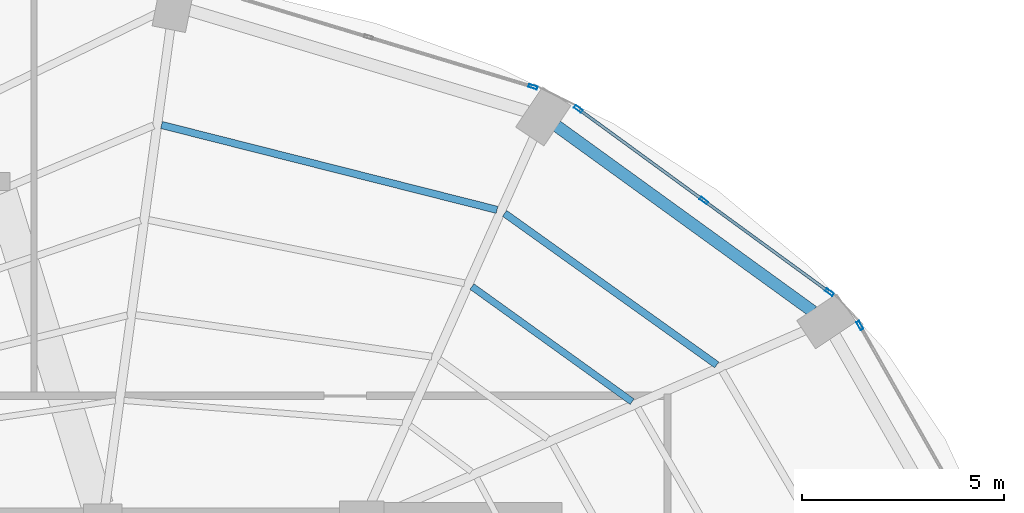
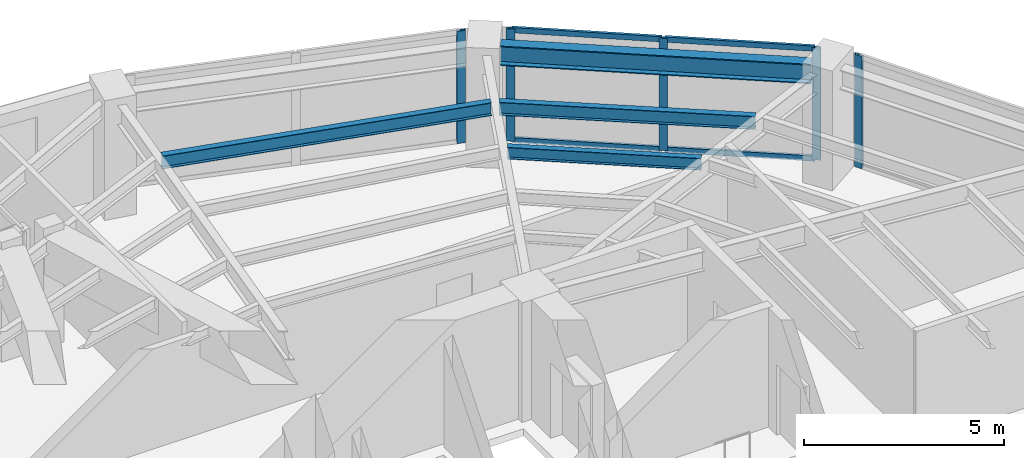
# One storey, part 17 of 24: 9 members, 4 beams, 3 elements without a shape of their own.
"""IFC4 building model written with IfcOpenShell, lengths in metres."""

from ifc_helpers import new_model, si_unit, direction, frame, origin, origin_2d, place, context, subcontext, project, spatial, hollow_rectangle, i_section, extrude, material, layer, layer_set, material_profile, profile_set, type_object, element, aggregate, save


model = new_model("IFC4")

# Units and contexts
model_context = context("Model", 3, precision=1e-05, world=origin(), true_north=direction((0.0, 1.0)))
body_context = subcontext(model_context, "Body", "Model", "MODEL_VIEW")
ifc_project = project(units=[si_unit("LENGTHUNIT", "METRE"), si_unit("AREAUNIT", "SQUARE_METRE"), si_unit("VOLUMEUNIT", "CUBIC_METRE"), si_unit("PLANEANGLEUNIT", "RADIAN"), si_unit("MASSUNIT", "GRAM", prefix="KILO")], contexts=[model_context])

# Site, building, storey
site_placement = place(None, origin())
site = spatial("IfcSite", under=ifc_project, at=site_placement, CompositionType="ELEMENT")
building_placement = place(site_placement, origin())
building = spatial("IfcBuilding", under=site, at=building_placement, Name="Lazwardi Medical Tower", CompositionType="ELEMENT")
storey_placement = place(building_placement, frame((0.0, 0.0, 99.98388671875)))
storey = spatial("IfcBuildingStorey", under=building, at=storey_placement, Name="L25", CompositionType="ELEMENT", Elevation=99.98388671875)

# Beams
ifc_material_1 = material(Name="Steel S355", Category="steel")
ifc_material_profile_1 = material_profile(ifc_material_1, i_section(OverallWidth=0.300048828125, OverallDepth=0.60009765625, WebThickness=0.015380859375, FlangeThickness=0.030029296875, at=origin_2d()), Name="HEB 600")
ifc_profile_set_1 = profile_set([ifc_material_profile_1], Name="Steel S355")
beam_type_1 = type_object("IfcBeamType", Name="BM-RB-Z2", PredefinedType="BEAM", material=ifc_profile_set_1)
beam_1_placement = place(storey_placement, frame((56.74560546875, 40.835205078125, 3.128173828125), z_axis=(-0.81005674773, 0.586351486275, 0.0), x_axis=(-0.586351486275, -0.81005674773, 0.0)))
element("IfcBeam", 1, at=beam_1_placement, inside=storey, type_object=beam_type_1, Name="Ring beam RB-03 B06 L25", PredefinedType="BEAM", context=body_context, shape_type="SweptSolid", body=[
    extrude(i_section(OverallWidth=0.300048828125, OverallDepth=0.60009765625, WebThickness=0.015380859375, FlangeThickness=0.030029296875, at=origin_2d()), origin(), (0.0, 0.0, 1.0), 7.81396484375),
])
ifc_material_profile_2 = material_profile(ifc_material_1, i_section(OverallWidth=0.179931640625, OverallDepth=0.39990234375, WebThickness=0.008544921875, FlangeThickness=0.013427734375, at=origin_2d()), Name="IPE 400")
ifc_profile_set_2 = profile_set([ifc_material_profile_2], Name="Steel S355")
beam_type_2 = type_object("IfcBeamType", Name="BM-SJ-01", PredefinedType="JOIST", material=ifc_profile_set_2)
beam_2_placement = place(storey_placement, frame((54.369384765625, 39.514404296875, 3.22802734375), z_axis=(-0.813748834317, 0.581216684763, 0.0), x_axis=(-0.581216684763, -0.813748834317, 0.0)))
element("IfcBeam", 2, at=beam_2_placement, inside=storey, type_object=beam_type_2, Name="Secondary joist SJ-01 R1 B06 L25", PredefinedType="JOIST", context=body_context, shape_type="SweptSolid", body=[
    extrude(i_section(OverallWidth=0.179931640625, OverallDepth=0.39990234375, WebThickness=0.008544921875, FlangeThickness=0.013427734375, at=origin_2d()), origin(), (0.0, 0.0, 1.0), 6.4423828125),
])
beam_3_placement = place(storey_placement, frame((48.939697265625, 43.345703125, 3.22802734375), z_axis=(-0.96945186753, 0.245281626997, 0.0), x_axis=(-0.245281626997, -0.96945186753, 0.0)))
element("IfcBeam", 3, at=beam_3_placement, inside=storey, type_object=beam_type_2, Name="Secondary joist SJ-01 R1 B07 L25", PredefinedType="JOIST", context=body_context, shape_type="SweptSolid", body=[
    extrude(i_section(OverallWidth=0.179931640625, OverallDepth=0.39990234375, WebThickness=0.008544921875, FlangeThickness=0.013427734375, at=origin_2d()), origin(), (0.0, 0.0, 1.0), 8.552978515625),
])
ifc_material_profile_3 = material_profile(ifc_material_1, i_section(OverallWidth=0.169921875, OverallDepth=0.360107421875, WebThickness=0.008056640625, FlangeThickness=0.0126953125, at=origin_2d()), Name="IPE 360")
ifc_profile_set_3 = profile_set([ifc_material_profile_3], Name="Steel S355")
beam_type_3 = type_object("IfcBeamType", Name="BM-SJ-02", PredefinedType="JOIST", material=ifc_profile_set_3)
beam_4_placement = place(storey_placement, frame((52.278564453125, 38.604736328125, 3.248046875), z_axis=(-0.811888517177, 0.583812500446, 0.0), x_axis=(-0.583812500446, -0.811888517177, 0.0)))
element("IfcBeam", 4, at=beam_4_placement, inside=storey, type_object=beam_type_3, Name="Secondary joist SJ-02 R2 B06 L25", PredefinedType="JOIST", context=body_context, shape_type="SweptSolid", body=[
    extrude(i_section(OverallWidth=0.169921875, OverallDepth=0.360107421875, WebThickness=0.008056640625, FlangeThickness=0.0126953125, at=origin_2d()), origin(), (0.0, 0.0, 1.0), 4.874755859375),
])

# Curtain wall, member
ifc_material_2 = material(Name="Anodised bronze aluminium and solar control glazing", Category="aluminium")
ifc_layer = layer(ifc_material_2, 0.195068359375)
ifc_layer_set = layer_set([ifc_layer], Name="Anodised bronze aluminium and solar control glazing")
curtain_wall_type = type_object("IfcCurtainWallType", Name="CW-SYS-03", PredefinedType="NOTDEFINED", material=ifc_layer_set)
curtain_wall_1_placement = place(storey_placement, origin())
curtain_wall_1 = element("IfcCurtainWall", 5, at=curtain_wall_1_placement, inside=storey, type_object=curtain_wall_type, Name="L25 Unitised bronze curtain wall CW-03", PredefinedType="NOTDEFINED")
ifc_material_3 = material(Name="Anodised bronze aluminium", Category="aluminium")
ifc_material_profile_4 = material_profile(ifc_material_3, hollow_rectangle(XDim=0.074951171875, YDim=0.219970703125, WallThickness=0.00390625, at=origin_2d()), Name="ALU-MULLION 220x75x4")
ifc_profile_set_4 = profile_set([ifc_material_profile_4], Name="Anodised bronze aluminium")
member_type_1 = type_object("IfcMemberType", Name="CW-MUL-01", PredefinedType="MULLION", material=ifc_profile_set_4)
member_1_placement = place(storey_placement, frame((57.9072265625, 40.48583984375, 0.0), z_axis=(0.0, 0.0, 1.0), x_axis=(-0.869687265712, -0.493603140041, 0.0)))
member_1 = element("IfcMember", 6, at=member_1_placement, type_object=member_type_1, Name="CW-03 mullion 2", PredefinedType="MULLION", context=body_context, shape_type="SweptSolid", body=[
    extrude(hollow_rectangle(XDim=0.074951171875, YDim=0.219970703125, WallThickness=0.00390625, at=origin_2d()), origin(), (0.0, 0.0, 1.0), 3.42822265625),
])
aggregate(curtain_wall_1, [member_1])

# Curtain wall, members
curtain_wall_2_placement = place(storey_placement, origin())
curtain_wall_2 = element("IfcCurtainWall", 7, at=curtain_wall_2_placement, inside=storey, type_object=curtain_wall_type, Name="L25 Unitised bronze curtain wall CW-03", PredefinedType="NOTDEFINED")
member_2_placement = place(storey_placement, frame((57.155029296875, 41.308837890625, 0.0), z_axis=(0.0, 0.0, 1.0), x_axis=(-0.589530882802, -0.807745837639, 0.0)))
member_2 = element("IfcMember", 8, at=member_2_placement, type_object=member_type_1, Name="CW-03 mullion 1", PredefinedType="MULLION", context=body_context, shape_type="SweptSolid", body=[
    extrude(hollow_rectangle(XDim=0.074951171875, YDim=0.219970703125, WallThickness=0.00390625, at=origin_2d()), origin(), (0.0, 0.0, 1.0), 3.42822265625),
])
member_3_placement = place(storey_placement, frame((54.051025390625, 43.57421875, 0.0), z_axis=(0.0, 0.0, 1.0), x_axis=(-0.589530882802, -0.807745837639, 0.0)))
member_3 = element("IfcMember", 9, at=member_3_placement, type_object=member_type_1, Name="CW-03 mullion 2", PredefinedType="MULLION", context=body_context, shape_type="SweptSolid", body=[
    extrude(hollow_rectangle(XDim=0.074951171875, YDim=0.219970703125, WallThickness=0.00390625, at=origin_2d()), origin(), (0.0, 0.0, 1.0), 3.42822265625),
])
member_4_placement = place(storey_placement, frame((50.947265625, 45.839599609375, 0.0), z_axis=(0.0, 0.0, 1.0), x_axis=(-0.589530882802, -0.807745837639, 0.0)))
member_4 = element("IfcMember", 10, at=member_4_placement, type_object=member_type_1, Name="CW-03 mullion 3", PredefinedType="MULLION", context=body_context, shape_type="SweptSolid", body=[
    extrude(hollow_rectangle(XDim=0.074951171875, YDim=0.219970703125, WallThickness=0.00390625, at=origin_2d()), origin(), (0.0, 0.0, 1.0), 3.42822265625),
])

# Curtain wall, member
curtain_wall_3_placement = place(storey_placement, origin())
curtain_wall_3 = element("IfcCurtainWall", 11, at=curtain_wall_3_placement, inside=storey, type_object=curtain_wall_type, Name="L25 Unitised bronze curtain wall CW-03", PredefinedType="NOTDEFINED")
member_5_placement = place(storey_placement, frame((49.828369140625, 46.385986328125, 0.0), z_axis=(0.0, 0.0, 1.0), x_axis=(-0.28937381157, -0.957216170558, 0.0)))
member_5 = element("IfcMember", 12, at=member_5_placement, type_object=member_type_1, Name="CW-03 mullion 1", PredefinedType="MULLION", context=body_context, shape_type="SweptSolid", body=[
    extrude(hollow_rectangle(XDim=0.074951171875, YDim=0.219970703125, WallThickness=0.00390625, at=origin_2d()), origin(), (0.0, 0.0, 1.0), 3.42822265625),
])
aggregate(curtain_wall_3, [member_5])

# Member
ifc_material_profile_5 = material_profile(ifc_material_3, hollow_rectangle(XDim=0.074951171875, YDim=0.159912109375, WallThickness=0.00390625, at=origin_2d()), Name="ALU-TRANSOM 160x75x4")
ifc_profile_set_5 = profile_set([ifc_material_profile_5], Name="Anodised bronze aluminium")
member_type_2 = type_object("IfcMemberType", Name="CW-TRN-01", PredefinedType="USERDEFINED", material=ifc_profile_set_5)
member_6_placement = place(storey_placement, frame((57.12451171875, 41.3310546875, 0.03759765625), z_axis=(-0.807731734271, 0.589550206049, 0.0), x_axis=(-0.589550206049, -0.807731734271, 0.0)))
member_6 = element("IfcMember", 13, at=member_6_placement, type_object=member_type_2, Name="CW-03 transom 1.1", ObjectType="TRANSOM", PredefinedType="USERDEFINED", context=body_context, shape_type="SweptSolid", body=[
    extrude(hollow_rectangle(XDim=0.074951171875, YDim=0.159912109375, WallThickness=0.00390625, at=origin_2d()), origin(), (0.0, 0.0, 1.0), 3.767578125),
])

member_7_placement = place(storey_placement, frame((57.12451171875, 41.3310546875, 3.390625), z_axis=(-0.807731734271, 0.589550206049, 0.0), x_axis=(-0.589550206049, -0.807731734271, 0.0)))
member_7 = element("IfcMember", 14, at=member_7_placement, type_object=member_type_2, Name="CW-03 transom 1.2", ObjectType="TRANSOM", PredefinedType="USERDEFINED", context=body_context, shape_type="SweptSolid", body=[
    extrude(hollow_rectangle(XDim=0.074951171875, YDim=0.159912109375, WallThickness=0.00390625, at=origin_2d()), origin(), (0.0, 0.0, 1.0), 3.767578125),
])

member_8_placement = place(storey_placement, frame((54.020751953125, 43.596435546875, 0.03759765625), z_axis=(-0.80776259199, 0.58950792614, 0.0), x_axis=(-0.58950792614, -0.80776259199, 0.0)))
member_8 = element("IfcMember", 15, at=member_8_placement, type_object=member_type_2, Name="CW-03 transom 2.1", ObjectType="TRANSOM", PredefinedType="USERDEFINED", context=body_context, shape_type="SweptSolid", body=[
    extrude(hollow_rectangle(XDim=0.074951171875, YDim=0.159912109375, WallThickness=0.00390625, at=origin_2d()), origin(), (0.0, 0.0, 1.0), 3.767578125),
])

member_9_placement = place(storey_placement, frame((54.020751953125, 43.596435546875, 3.390625), z_axis=(-0.80776259199, 0.58950792614, 0.0), x_axis=(-0.58950792614, -0.80776259199, 0.0)))
member_9 = element("IfcMember", 16, at=member_9_placement, type_object=member_type_2, Name="CW-03 transom 2.2", ObjectType="TRANSOM", PredefinedType="USERDEFINED", context=body_context, shape_type="SweptSolid", body=[
    extrude(hollow_rectangle(XDim=0.074951171875, YDim=0.159912109375, WallThickness=0.00390625, at=origin_2d()), origin(), (0.0, 0.0, 1.0), 3.767578125),
])

aggregate(curtain_wall_2, [member_2, member_3, member_4, member_6, member_7, member_8, member_9])

save(model, "model.ifc")
